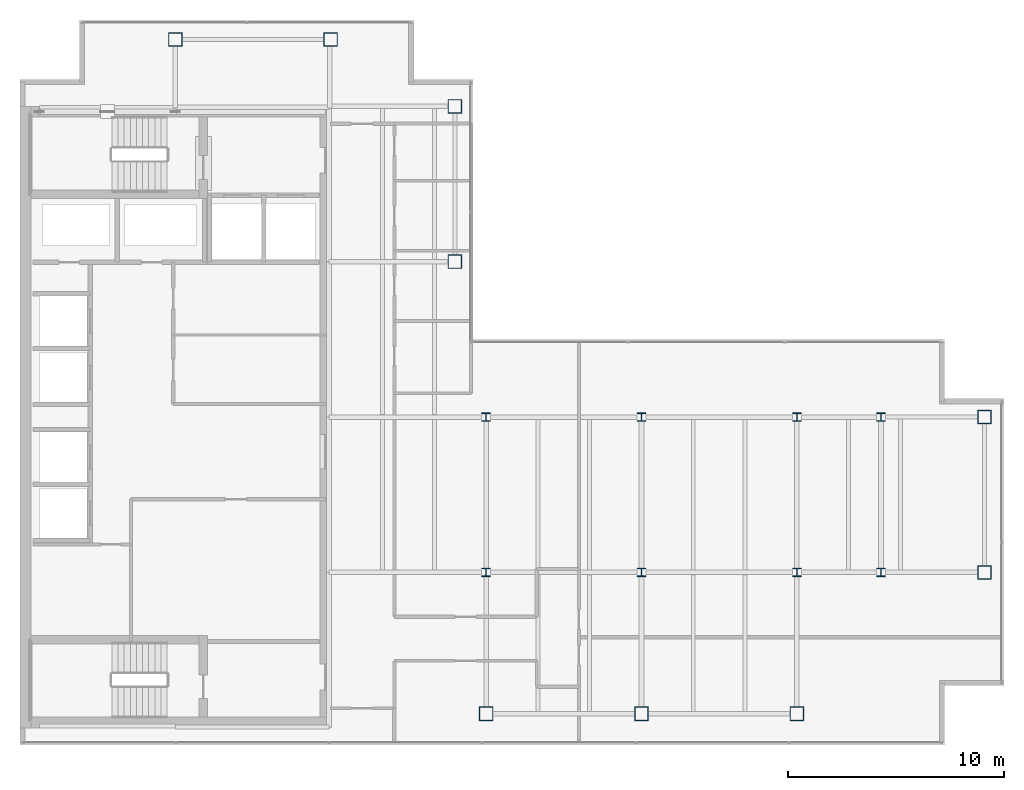
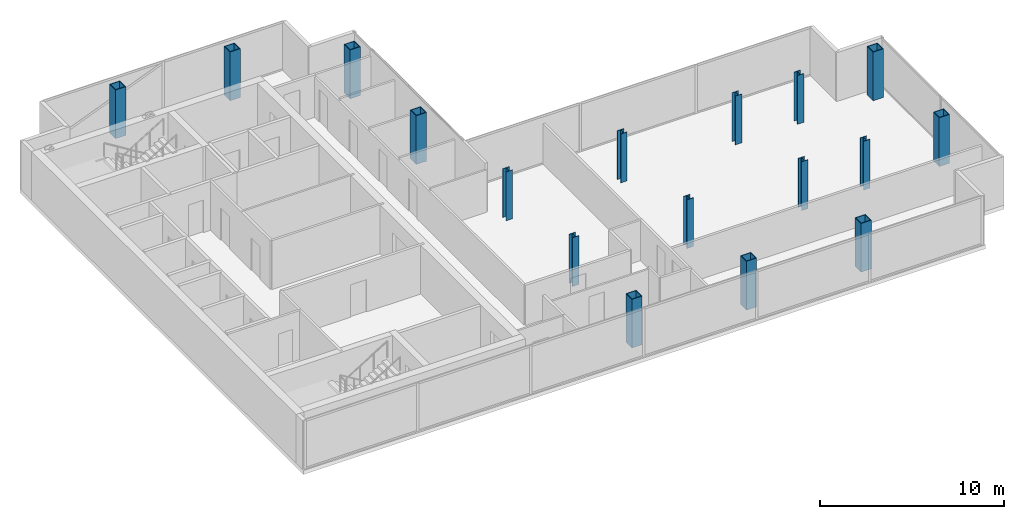
# One storey, part 1 of 24: 17 columns.
"""IFC4 building model written with IfcOpenShell, lengths in metres."""

from ifc_helpers import new_model, si_unit, direction, frame, origin, origin_2d, place, context, subcontext, project, spatial, hollow_rectangle, i_section, extrude, material, material_profile, profile_set, type_object, element, save


model = new_model("IFC4")

# Units and contexts
model_context = context("Model", 3, precision=1e-05, world=origin(), true_north=direction((0.0, 1.0)))
body_context = subcontext(model_context, "Body", "Model", "MODEL_VIEW")
ifc_project = project(units=[si_unit("LENGTHUNIT", "METRE"), si_unit("AREAUNIT", "SQUARE_METRE"), si_unit("VOLUMEUNIT", "CUBIC_METRE"), si_unit("PLANEANGLEUNIT", "RADIAN"), si_unit("MASSUNIT", "GRAM", prefix="KILO")], contexts=[model_context])

# Site, building, storey
site_placement = place(None, origin())
site = spatial("IfcSite", under=ifc_project, at=site_placement, CompositionType="ELEMENT")
building_placement = place(site_placement, origin())
building = spatial("IfcBuilding", under=site, at=building_placement, Name="Cobrela Telecom Tower", CompositionType="ELEMENT")
storey_placement = place(building_placement, frame((0.0, 0.0, 248.14990234375)))
storey = spatial("IfcBuildingStorey", under=building, at=storey_placement, Name="L64", CompositionType="ELEMENT", Elevation=248.14990234375)

# Columns
ifc_material_1 = material(Name="Steel ASTM A992 Grade 50", Category="steel")
ifc_material_profile_1 = material_profile(ifc_material_1, i_section(OverallWidth=0.39892578125, OverallDepth=0.39404296875, WebThickness=0.022705078125, FlangeThickness=0.03662109375, FilletRadius=0.01806640625, at=origin_2d()), Name="W14X193")
ifc_profile_set_1 = profile_set([ifc_material_profile_1], Name="Steel ASTM A992 Grade 50")
column_type_1 = type_object("IfcColumnType", Name="COL-INT-06", PredefinedType="COLUMN", material=ifc_profile_set_1)
for number, where, z_axis, x_axis, name in (
    (1, (21.60009765625, 14.39990234375, 0.0), (0.0, 0.0, 1.0), (1.0, 0.0, 0.0), "L64 Interior Column 06"),
    (2, (21.60009765625, 21.60009765625, 0.0), (0.0, 0.0, 1.0), (1.0, 0.0, 0.0), "L64 Interior Column 07"),
    (3, (28.800048828125, 14.39990234375, 0.0), (0.0, 0.0, 1.0), (1.0, 0.0, 0.0), "L64 Interior Column 09"),
    (4, (28.800048828125, 21.60009765625, 0.0), (0.0, 0.0, 1.0), (1.0, 0.0, 0.0), "L64 Interior Column 10"),
    (5, (36.0, 14.39990234375, 0.0), (0.0, 0.0, 1.0), (1.0, 0.0, 0.0), "L64 Interior Column 12"),
    (6, (36.0, 21.60009765625, 0.0), (0.0, 0.0, 1.0), (1.0, 0.0, 0.0), "L64 Interior Column 13"),
    (7, (39.89990234375, 14.39990234375, 0.0), (0.0, 0.0, 1.0), (1.0, 0.0, 0.0), "L64 Interior Column 14"),
    (8, (39.89990234375, 21.60009765625, 0.0), (0.0, 0.0, 1.0), (1.0, 0.0, 0.0), "L64 Interior Column 15"),
):
    element("IfcColumn", number, at=place(storey_placement, frame(where, z_axis=z_axis, x_axis=x_axis)), inside=storey, type_object=column_type_1, Name=name, PredefinedType="COLUMN", context=body_context, shape_type="SweptSolid", body=[
        extrude(i_section(OverallWidth=0.39892578125, OverallDepth=0.39404296875, WebThickness=0.022705078125, FlangeThickness=0.03662109375, FilletRadius=0.01806640625, at=origin_2d()), origin(), (0.0, 0.0, 1.0), 3.239990234375),
    ])
ifc_material_2 = material(Name="Steel ASTM A572 Grade 50", Category="steel")
ifc_material_profile_2 = material_profile(ifc_material_2, hollow_rectangle(XDim=0.64990234375, YDim=0.64990234375, WallThickness=0.0400390625, at=origin_2d()), Name="BOX 650x650x40")
ifc_profile_set_2 = profile_set([ifc_material_profile_2], Name="Steel ASTM A572 Grade 50")
column_type_2 = type_object("IfcColumnType", Name="COL-MEGA-09", PredefinedType="COLUMN", material=ifc_profile_set_2)
for number, where, z_axis, x_axis, name in (
    (9, (7.199951171875, 39.10009765625, 0.0), (0.0, 0.0, 1.0), (1.0, 0.0, 0.0), "L64 Perimeter Mega-Column 01"),
    (10, (14.39990234375, 39.10009765625, 0.0), (0.0, 0.0, 1.0), (1.0, 0.0, 0.0), "L64 Perimeter Mega-Column 02"),
    (11, (20.14990234375, 28.800048828125, 0.0), (0.0, 0.0, 1.0), (1.0, 0.0, 0.0), "L64 Perimeter Mega-Column 03"),
    (12, (20.14990234375, 36.0, 0.0), (0.0, 0.0, 1.0), (1.0, 0.0, 0.0), "L64 Perimeter Mega-Column 04"),
    (13, (21.60009765625, 7.85009765625, 0.0), (0.0, 0.0, 1.0), (1.0, 0.0, 0.0), "L64 Perimeter Mega-Column 05"),
    (14, (28.800048828125, 7.85009765625, 0.0), (0.0, 0.0, 1.0), (1.0, 0.0, 0.0), "L64 Perimeter Mega-Column 08"),
    (15, (36.0, 7.85009765625, 0.0), (0.0, 0.0, 1.0), (1.0, 0.0, 0.0), "L64 Perimeter Mega-Column 11"),
    (16, (44.699951171875, 14.39990234375, 0.0), (0.0, 0.0, 1.0), (1.0, 0.0, 0.0), "L64 Perimeter Mega-Column 16"),
    (17, (44.699951171875, 21.60009765625, 0.0), (0.0, 0.0, 1.0), (1.0, 0.0, 0.0), "L64 Perimeter Mega-Column 17"),
):
    element("IfcColumn", number, at=place(storey_placement, frame(where, z_axis=z_axis, x_axis=x_axis)), inside=storey, type_object=column_type_2, Name=name, PredefinedType="COLUMN", context=body_context, shape_type="SweptSolid", body=[
        extrude(hollow_rectangle(XDim=0.64990234375, YDim=0.64990234375, WallThickness=0.0400390625, at=origin_2d()), origin(), (0.0, 0.0, 1.0), 3.239990234375),
    ])

save(model, "model.ifc")
